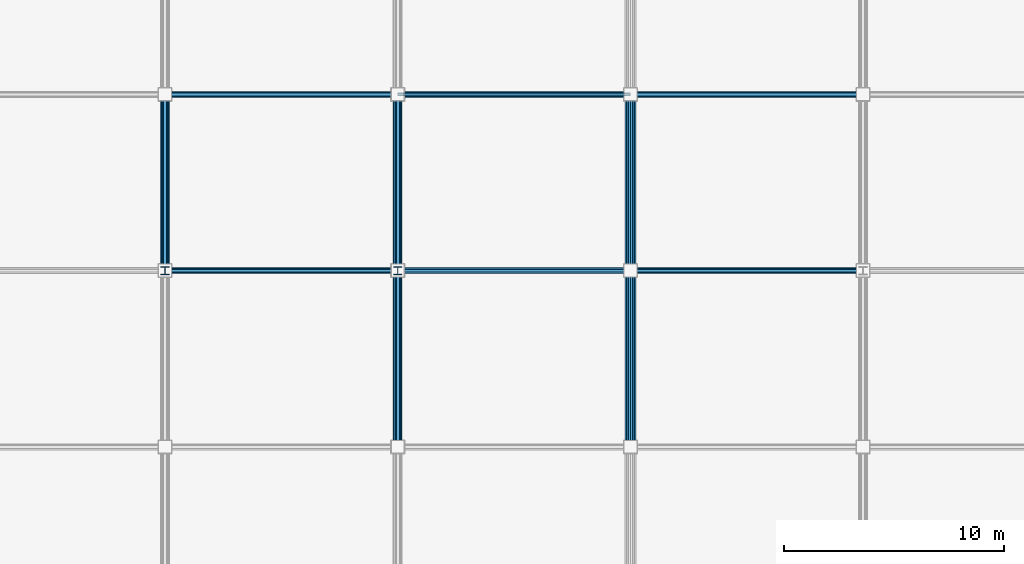
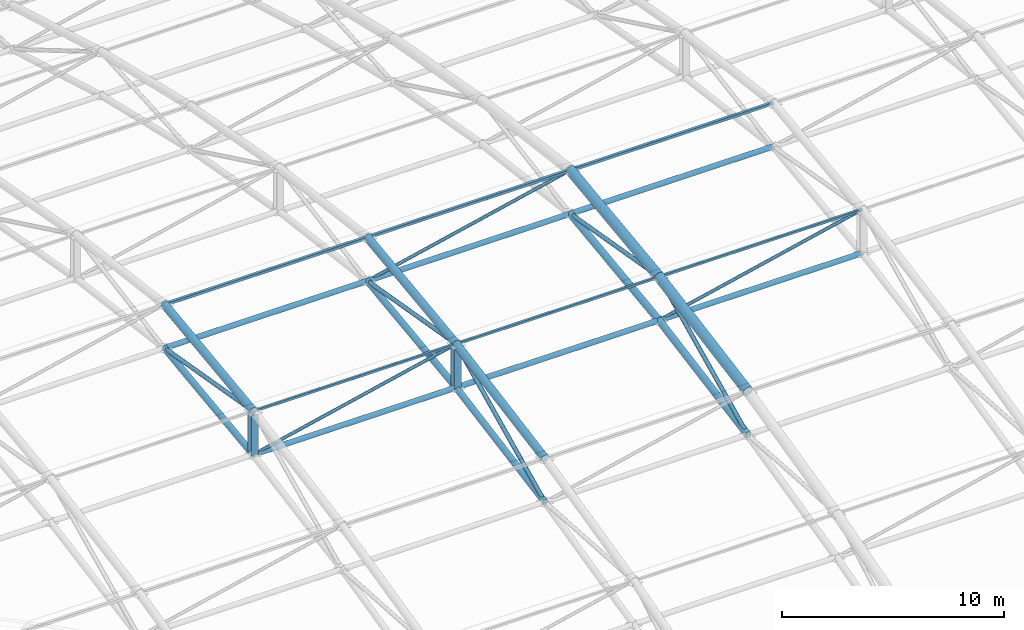
# One storey, part 8 of 42: 32 members.
"""IFC4 building model written with IfcOpenShell, lengths in metres."""

from ifc_helpers import new_model, si_unit, direction, frame, origin, origin_2d, place, context, subcontext, project, spatial, hollow_rectangle, hollow_circle, i_section, extrude, material, material_profile, profile_set, type_object, element, save


model = new_model("IFC4")

# Units and contexts
model_context = context("Model", 3, precision=1e-05, world=origin(), true_north=direction((0.0, 1.0)))
body_context = subcontext(model_context, "Body", "Model", "MODEL_VIEW")
ifc_project = project(units=[si_unit("LENGTHUNIT", "METRE"), si_unit("AREAUNIT", "SQUARE_METRE"), si_unit("VOLUMEUNIT", "CUBIC_METRE"), si_unit("PLANEANGLEUNIT", "RADIAN"), si_unit("MASSUNIT", "GRAM", prefix="KILO")], contexts=[model_context])

# Site, building, storey
site_placement = place(None, origin())
site = spatial("IfcSite", under=ifc_project, at=site_placement, CompositionType="ELEMENT")
building_placement = place(site_placement, origin())
building = spatial("IfcBuilding", under=site, at=building_placement, Name="Caelomonte Colonnade Arena", CompositionType="ELEMENT")
storey_placement = place(building_placement, frame((0.0, 0.0, 28.199951171875)))
storey = spatial("IfcBuildingStorey", under=building, at=storey_placement, Name="RF", CompositionType="ELEMENT", Elevation=28.199951171875)

# Members
ifc_material_1 = material(Name="Wide-flange steel ASTM A992 Grade 50", Category="steel")
ifc_material_profile_1 = material_profile(ifc_material_1, i_section(OverallWidth=0.368896484375, OverallDepth=0.356201171875, WebThickness=0.01123046875, FlangeThickness=0.01806640625, FilletRadius=0.01513671875, at=origin_2d()), Name="W14X90")
ifc_profile_set_1 = profile_set([ifc_material_profile_1], Name="Wide-flange steel ASTM A992 Grade 50")
member_type_1 = type_object("IfcMemberType", Name="STR-CAT-STR", PredefinedType="STRUT", material=ifc_profile_set_1)
for number, where, z_axis, x_axis, name in (
    (1, (89.280029296875, 59.199951171875, 11.68505859375), (0.0, 0.0, 1.0), (1.0, 0.0, 0.0), "Scoreboard rigging catwalk hanger post 3-5"),
    (2, (99.840087890625, 59.199951171875, 11.68505859375), (0.0, 0.0, 1.0), (1.0, 0.0, 0.0), "Scoreboard rigging catwalk hanger post 4-5"),
):
    element("IfcMember", number, at=place(storey_placement, frame(where, z_axis=z_axis, x_axis=x_axis)), inside=storey, type_object=member_type_1, Name=name, PredefinedType="STRUT", context=body_context, shape_type="SweptSolid", body=[
        extrude(i_section(OverallWidth=0.368896484375, OverallDepth=0.356201171875, WebThickness=0.01123046875, FlangeThickness=0.01806640625, FilletRadius=0.01513671875, at=origin_2d()), origin(), (0.0, 0.0, 1.0), 2.199951171875),
    ])
ifc_material_2 = material(Name="Steel ASTM A500 Grade C", Category="steel")
ifc_material_profile_2 = material_profile(ifc_material_2, hollow_circle(Radius=0.177734375, WallThickness=0.0126953125, at=origin_2d()), Name="CHS355.6X12.7")
ifc_profile_set_2 = profile_set([ifc_material_profile_2], Name="Steel ASTM A500 Grade C")
member_type_2 = type_object("IfcMemberType", Name="STR-SF-BC1", PredefinedType="CHORD", material=ifc_profile_set_2)
member_1_placement = place(storey_placement, frame((110.39990234375, 51.201904296875, 10.136474609375), z_axis=(0.0, 0.983990820662, 0.178219148393), x_axis=(-1.0, 0.0, 0.0)))
element("IfcMember", 3, at=member_1_placement, inside=storey, type_object=member_type_2, Name="Arched roof truss bottom chord 5-4", PredefinedType="CHORD", context=body_context, shape_type="SweptSolid", body=[
    extrude(hollow_circle(Radius=0.177734375, WallThickness=0.0126953125, at=origin_2d()), origin(), (0.0, 0.0, 1.0), 8.126220703125),
])
member_2_placement = place(storey_placement, frame((110.39990234375, 59.201904296875, 11.58544921875), z_axis=(0.0, 0.992048803131, 0.125853773113), x_axis=(-1.0, 0.0, 0.0)))
element("IfcMember", 4, at=member_2_placement, inside=storey, type_object=member_type_2, Name="Arched roof truss bottom chord 5-5", PredefinedType="CHORD", context=body_context, shape_type="SweptSolid", body=[
    extrude(hollow_circle(Radius=0.177734375, WallThickness=0.0126953125, at=origin_2d()), origin(), (0.0, 0.0, 1.0), 8.060302734375),
])
ifc_material_profile_3 = material_profile(ifc_material_2, hollow_circle(Radius=0.161865234375, WallThickness=0.010009765625, at=origin_2d()), Name="CHS323.9X10.0")
ifc_profile_set_3 = profile_set([ifc_material_profile_3], Name="Steel ASTM A500 Grade C")
member_type_3 = type_object("IfcMemberType", Name="STR-SF-BC2", PredefinedType="CHORD", material=ifc_profile_set_3)
member_3_placement = place(storey_placement, frame((89.280029296875, 59.201904296875, 11.58544921875), z_axis=(0.0, 0.992048803131, 0.125853773113), x_axis=(-1.0, 0.0, 0.0)))
element("IfcMember", 5, at=member_3_placement, inside=storey, type_object=member_type_3, Name="Arched roof truss bottom chord 3-5", PredefinedType="CHORD", context=body_context, shape_type="SweptSolid", body=[
    extrude(hollow_circle(Radius=0.161865234375, WallThickness=0.010009765625, at=origin_2d()), origin(), (0.0, 0.0, 1.0), 8.060302734375),
])
member_4_placement = place(storey_placement, frame((99.840087890625, 51.201904296875, 10.136474609375), z_axis=(0.0, 0.983990820662, 0.178219148393), x_axis=(-1.0, 0.0, 0.0)))
element("IfcMember", 6, at=member_4_placement, inside=storey, type_object=member_type_3, Name="Arched roof truss bottom chord 4-4", PredefinedType="CHORD", context=body_context, shape_type="SweptSolid", body=[
    extrude(hollow_circle(Radius=0.161865234375, WallThickness=0.010009765625, at=origin_2d()), origin(), (0.0, 0.0, 1.0), 8.126220703125),
])
member_5_placement = place(storey_placement, frame((99.840087890625, 59.201904296875, 11.58544921875), z_axis=(0.0, 0.992048803131, 0.125853773113), x_axis=(-1.0, 0.0, 0.0)))
element("IfcMember", 7, at=member_5_placement, inside=storey, type_object=member_type_3, Name="Arched roof truss bottom chord 4-5", PredefinedType="CHORD", context=body_context, shape_type="SweptSolid", body=[
    extrude(hollow_circle(Radius=0.161865234375, WallThickness=0.010009765625, at=origin_2d()), origin(), (0.0, 0.0, 1.0), 8.060302734375),
])
ifc_material_profile_4 = material_profile(ifc_material_2, hollow_rectangle(XDim=0.15234375, YDim=0.15234375, WallThickness=0.008056640625, InnerFilletRadius=0.008056640625, OuterFilletRadius=0.01611328125, at=origin_2d()), Name="HSS152X152X8.0")
ifc_profile_set_4 = profile_set([ifc_material_profile_4], Name="Steel ASTM A500 Grade C")
member_type_4 = type_object("IfcMemberType", Name="STR-SF-PUR2", PredefinedType="PURLIN", material=ifc_profile_set_4)
for number, where, z_axis, x_axis, name in (
    (8, (89.281982421875, 67.199951171875, 15.0), (1.0, 0.0, 0.0), (0.0, 1.0, 0.0), "Arched roof purlin 3-6"),
    (9, (99.842041015625, 67.199951171875, 15.0), (1.0, 0.0, 0.0), (0.0, 1.0, 0.0), "Arched roof purlin 4-6"),
    (10, (110.402099609375, 67.199951171875, 15.0), (1.0, 0.0, 0.0), (0.0, 1.0, 0.0), "Arched roof purlin 5-6"),
):
    element("IfcMember", number, at=place(storey_placement, frame(where, z_axis=z_axis, x_axis=x_axis)), inside=storey, type_object=member_type_4, Name=name, PredefinedType="PURLIN", context=body_context, shape_type="SweptSolid", body=[
        extrude(hollow_rectangle(XDim=0.15234375, YDim=0.15234375, WallThickness=0.008056640625, InnerFilletRadius=0.008056640625, OuterFilletRadius=0.01611328125, at=origin_2d()), origin(), (0.0, 0.0, 1.0), 10.555908203125),
    ])
ifc_material_profile_5 = material_profile(ifc_material_2, hollow_rectangle(XDim=0.126953125, YDim=0.126953125, WallThickness=0.00634765625, InnerFilletRadius=0.00634765625, OuterFilletRadius=0.0126953125, at=origin_2d()), Name="HSS127X127X6.4")
ifc_profile_set_5 = profile_set([ifc_material_profile_5], Name="Steel ASTM A500 Grade C")
member_type_5 = type_object("IfcMemberType", Name="STR-SF-PUR3", PredefinedType="PURLIN", material=ifc_profile_set_5)
for number, where, z_axis, x_axis, name in (
    (11, (89.281982421875, 59.199951171875, 13.985107421875), (1.0, 0.0, 0.0), (0.0, 1.0, 0.0), "Arched roof purlin 3-5"),
    (12, (99.842041015625, 59.199951171875, 13.985107421875), (1.0, 0.0, 0.0), (0.0, 1.0, 0.0), "Arched roof purlin 4-5"),
    (13, (110.402099609375, 59.199951171875, 13.985107421875), (1.0, 0.0, 0.0), (0.0, 1.0, 0.0), "Arched roof purlin 5-5"),
):
    element("IfcMember", number, at=place(storey_placement, frame(where, z_axis=z_axis, x_axis=x_axis)), inside=storey, type_object=member_type_5, Name=name, PredefinedType="PURLIN", context=body_context, shape_type="SweptSolid", body=[
        extrude(hollow_rectangle(XDim=0.126953125, YDim=0.126953125, WallThickness=0.00634765625, InnerFilletRadius=0.00634765625, OuterFilletRadius=0.0126953125, at=origin_2d()), origin(), (0.0, 0.0, 1.0), 10.555908203125),
    ])
ifc_material_profile_6 = material_profile(ifc_material_2, hollow_circle(Radius=0.25390625, WallThickness=0.015869140625, at=origin_2d()), Name="CHS508X15.9")
ifc_profile_set_6 = profile_set([ifc_material_profile_6], Name="Steel ASTM A500 Grade C")
member_type_6 = type_object("IfcMemberType", Name="STR-SF-TC1", PredefinedType="CHORD", material=ifc_profile_set_6)
member_6_placement = place(storey_placement, frame((110.39990234375, 51.201904296875, 12.536376953125), z_axis=(0.0, 0.983990820662, 0.178219148393), x_axis=(-1.0, 0.0, 0.0)))
element("IfcMember", 14, at=member_6_placement, inside=storey, type_object=member_type_6, Name="Arched roof truss top chord 5-4", PredefinedType="CHORD", context=body_context, shape_type="SweptSolid", body=[
    extrude(hollow_circle(Radius=0.25390625, WallThickness=0.015869140625, at=origin_2d()), origin(), (0.0, 0.0, 1.0), 8.126220703125),
])
member_7_placement = place(storey_placement, frame((110.39990234375, 59.201904296875, 13.9853515625), z_axis=(0.0, 0.992048803131, 0.125853773113), x_axis=(-1.0, 0.0, 0.0)))
element("IfcMember", 15, at=member_7_placement, inside=storey, type_object=member_type_6, Name="Arched roof truss top chord 5-5", PredefinedType="CHORD", context=body_context, shape_type="SweptSolid", body=[
    extrude(hollow_circle(Radius=0.25390625, WallThickness=0.015869140625, at=origin_2d()), origin(), (0.0, 0.0, 1.0), 8.060302734375),
])
ifc_material_profile_7 = material_profile(ifc_material_2, hollow_circle(Radius=0.203125, WallThickness=0.0126953125, at=origin_2d()), Name="CHS406.4X12.7")
ifc_profile_set_7 = profile_set([ifc_material_profile_7], Name="Steel ASTM A500 Grade C")
member_type_7 = type_object("IfcMemberType", Name="STR-SF-TC2", PredefinedType="CHORD", material=ifc_profile_set_7)
member_8_placement = place(storey_placement, frame((89.280029296875, 59.201904296875, 13.9853515625), z_axis=(0.0, 0.992048803131, 0.125853773113), x_axis=(-1.0, 0.0, 0.0)))
element("IfcMember", 16, at=member_8_placement, inside=storey, type_object=member_type_7, Name="Arched roof truss top chord 3-5", PredefinedType="CHORD", context=body_context, shape_type="SweptSolid", body=[
    extrude(hollow_circle(Radius=0.203125, WallThickness=0.0126953125, at=origin_2d()), origin(), (0.0, 0.0, 1.0), 8.060302734375),
])
member_9_placement = place(storey_placement, frame((99.840087890625, 51.201904296875, 12.536376953125), z_axis=(0.0, 0.983990820662, 0.178219148393), x_axis=(-1.0, 0.0, 0.0)))
element("IfcMember", 17, at=member_9_placement, inside=storey, type_object=member_type_7, Name="Arched roof truss top chord 4-4", PredefinedType="CHORD", context=body_context, shape_type="SweptSolid", body=[
    extrude(hollow_circle(Radius=0.203125, WallThickness=0.0126953125, at=origin_2d()), origin(), (0.0, 0.0, 1.0), 8.126220703125),
])
member_10_placement = place(storey_placement, frame((99.840087890625, 59.201904296875, 13.9853515625), z_axis=(0.0, 0.992048803131, 0.125853773113), x_axis=(-1.0, 0.0, 0.0)))
element("IfcMember", 18, at=member_10_placement, inside=storey, type_object=member_type_7, Name="Arched roof truss top chord 4-5", PredefinedType="CHORD", context=body_context, shape_type="SweptSolid", body=[
    extrude(hollow_circle(Radius=0.203125, WallThickness=0.0126953125, at=origin_2d()), origin(), (0.0, 0.0, 1.0), 8.060302734375),
])
ifc_material_profile_8 = material_profile(ifc_material_2, hollow_circle(Radius=0.136474609375, WallThickness=0.00927734375, at=origin_2d()), Name="CHS273.0X9.3")
ifc_profile_set_8 = profile_set([ifc_material_profile_8], Name="Steel ASTM A500 Grade C")
member_type_8 = type_object("IfcMemberType", Name="STR-SF-TIE", PredefinedType="STRUT", material=ifc_profile_set_8)
for number, where, z_axis, x_axis, name in (
    (19, (89.281982421875, 59.199951171875, 11.5849609375), (1.0, 0.0, 0.0), (0.0, 1.0, 0.0), "Space frame roof tie strut 3-5"),
    (20, (89.281982421875, 67.199951171875, 12.60009765625), (1.0, 0.0, 0.0), (0.0, 1.0, 0.0), "Space frame roof tie strut 3-6"),
    (21, (99.842041015625, 59.199951171875, 11.5849609375), (1.0, 0.0, 0.0), (0.0, 1.0, 0.0), "Space frame roof tie strut 4-5"),
    (22, (99.842041015625, 67.199951171875, 12.60009765625), (1.0, 0.0, 0.0), (0.0, 1.0, 0.0), "Space frame roof tie strut 4-6"),
    (23, (110.402099609375, 59.199951171875, 11.5849609375), (1.0, 0.0, 0.0), (0.0, 1.0, 0.0), "Space frame roof tie strut 5-5"),
    (24, (110.402099609375, 67.199951171875, 12.60009765625), (1.0, 0.0, 0.0), (0.0, 1.0, 0.0), "Space frame roof tie strut 5-6"),
):
    element("IfcMember", number, at=place(storey_placement, frame(where, z_axis=z_axis, x_axis=x_axis)), inside=storey, type_object=member_type_8, Name=name, PredefinedType="STRUT", context=body_context, shape_type="SweptSolid", body=[
        extrude(hollow_circle(Radius=0.136474609375, WallThickness=0.00927734375, at=origin_2d()), origin(), (0.0, 0.0, 1.0), 10.555908203125),
    ])
ifc_material_profile_9 = material_profile(ifc_material_2, hollow_circle(Radius=0.109619140625, WallThickness=0.00830078125, at=origin_2d()), Name="CHS219.1X8.2")
ifc_profile_set_9 = profile_set([ifc_material_profile_9], Name="Steel ASTM A500 Grade C")
member_type_9 = type_object("IfcMemberType", Name="STR-SF-WEB1", PredefinedType="BRACE", material=ifc_profile_set_9)
member_11_placement = place(storey_placement, frame((89.280029296875, 59.201904296875, 13.98486328125), z_axis=(0.0, 0.985338447855, -0.1706110875), x_axis=(-1.0, 0.0, 0.0)))
element("IfcMember", 25, at=member_11_placement, inside=storey, type_object=member_type_9, Name="Space frame roof truss web diagonal 3-5", PredefinedType="BRACE", context=body_context, shape_type="SweptSolid", body=[
    extrude(hollow_circle(Radius=0.109619140625, WallThickness=0.00830078125, at=origin_2d()), origin(), (0.0, 0.0, 1.0), 8.114990234375),
])
member_12_placement = place(storey_placement, frame((99.840087890625, 51.201904296875, 10.136962890625), z_axis=(0.0, 0.901130279028, 0.433548405854), x_axis=(-1.0, 0.0, 0.0)))
element("IfcMember", 26, at=member_12_placement, inside=storey, type_object=member_type_9, Name="Space frame roof truss web diagonal 4-4", PredefinedType="BRACE", context=body_context, shape_type="SweptSolid", body=[
    extrude(hollow_circle(Radius=0.109619140625, WallThickness=0.00830078125, at=origin_2d()), origin(), (0.0, 0.0, 1.0), 8.873779296875),
])
member_13_placement = place(storey_placement, frame((99.840087890625, 59.201904296875, 13.98486328125), z_axis=(0.0, 0.985338447855, -0.1706110875), x_axis=(-1.0, 0.0, 0.0)))
element("IfcMember", 27, at=member_13_placement, inside=storey, type_object=member_type_9, Name="Space frame roof truss web diagonal 4-5", PredefinedType="BRACE", context=body_context, shape_type="SweptSolid", body=[
    extrude(hollow_circle(Radius=0.109619140625, WallThickness=0.00830078125, at=origin_2d()), origin(), (0.0, 0.0, 1.0), 8.114990234375),
])
member_14_placement = place(storey_placement, frame((110.39990234375, 51.201904296875, 10.136962890625), z_axis=(0.0, 0.901130279028, 0.433548405854), x_axis=(-1.0, 0.0, 0.0)))
element("IfcMember", 28, at=member_14_placement, inside=storey, type_object=member_type_9, Name="Space frame roof truss web diagonal 5-4", PredefinedType="BRACE", context=body_context, shape_type="SweptSolid", body=[
    extrude(hollow_circle(Radius=0.109619140625, WallThickness=0.00830078125, at=origin_2d()), origin(), (0.0, 0.0, 1.0), 8.873779296875),
])
member_15_placement = place(storey_placement, frame((110.39990234375, 59.201904296875, 13.98486328125), z_axis=(0.0, 0.985338447855, -0.1706110875), x_axis=(-1.0, 0.0, 0.0)))
element("IfcMember", 29, at=member_15_placement, inside=storey, type_object=member_type_9, Name="Space frame roof truss web diagonal 5-5", PredefinedType="BRACE", context=body_context, shape_type="SweptSolid", body=[
    extrude(hollow_circle(Radius=0.109619140625, WallThickness=0.00830078125, at=origin_2d()), origin(), (0.0, 0.0, 1.0), 8.114990234375),
])
ifc_material_profile_10 = material_profile(ifc_material_2, hollow_circle(Radius=0.084228515625, WallThickness=0.007080078125, at=origin_2d()), Name="CHS168.3X7.1")
ifc_profile_set_10 = profile_set([ifc_material_profile_10], Name="Steel ASTM A500 Grade C")
member_type_10 = type_object("IfcMemberType", Name="STR-SF-WEB2", PredefinedType="BRACE", material=ifc_profile_set_10)
for number, where, z_axis, x_axis, name in (
    (30, (89.281982421875, 59.199951171875, 11.58544921875), (0.975130861858, 0.0, 0.221629876714), (0.0, 1.0, 0.0), "Space frame transverse diagonal 3-5"),
    (31, (99.842041015625, 67.199951171875, 12.600341796875), (0.9751259875, 0.0, 0.221651321904), (0.0, 1.0, 0.0), "Space frame transverse diagonal 4-6"),
    (32, (110.402099609375, 59.199951171875, 11.58544921875), (0.975130861858, 0.0, 0.221629876714), (0.0, 1.0, 0.0), "Space frame transverse diagonal 5-5"),
):
    element("IfcMember", number, at=place(storey_placement, frame(where, z_axis=z_axis, x_axis=x_axis)), inside=storey, type_object=member_type_10, Name=name, PredefinedType="BRACE", context=body_context, shape_type="SweptSolid", body=[
        extrude(hollow_circle(Radius=0.084228515625, WallThickness=0.007080078125, at=origin_2d()), origin(), (0.0, 0.0, 1.0), 10.8251953125),
    ])

save(model, "model.ifc")
